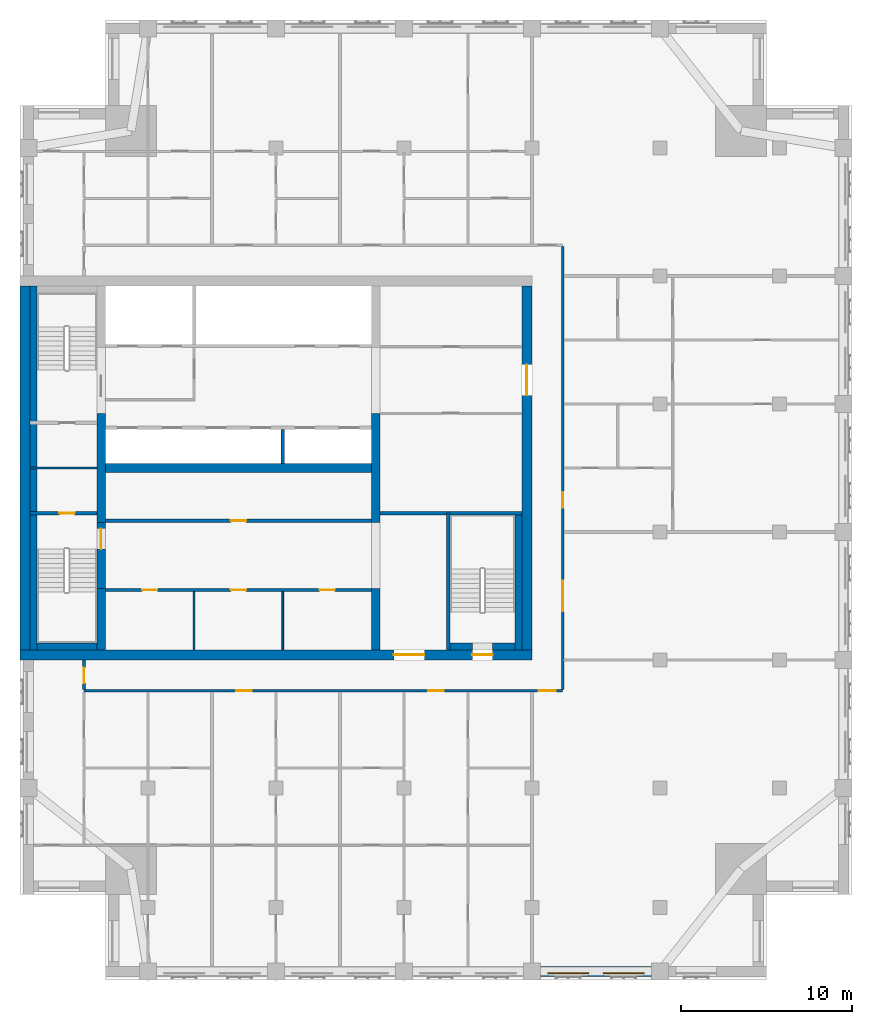
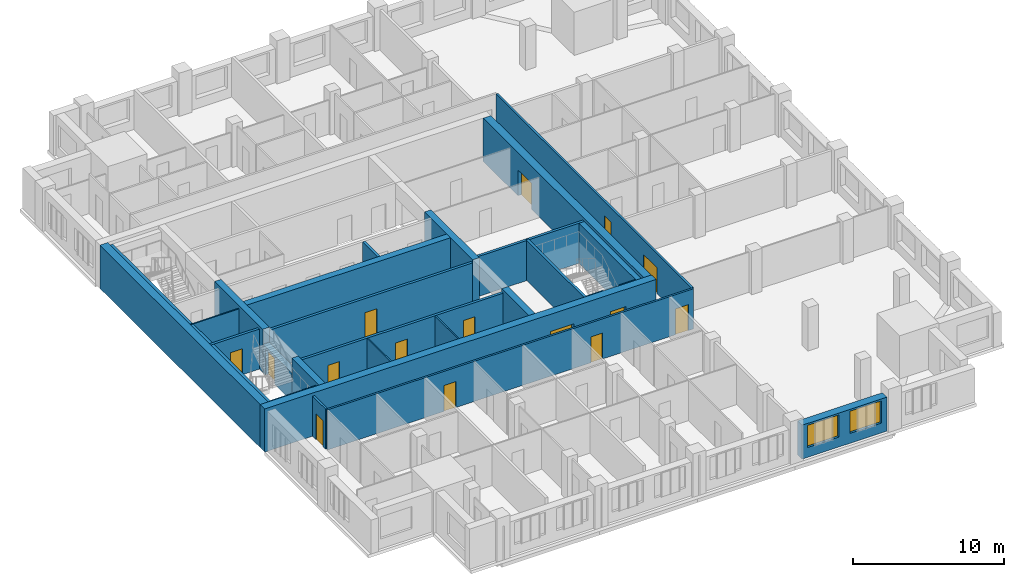
# One storey, part 4 of 10: 27 walls, 15 doors, 2 windows, 17 openings.
"""IFC4 building model written with IfcOpenShell, lengths in metres."""

import ifcopenshell
import ifcopenshell.guid

model = None  # the IFC model being written
_history = None  # IfcOwnerHistory: only IFC2X3 demands one
_inside = {}  # id of a spatial element -> (the spatial element, [elements in it])
_under = {}  # id of a project, library or spatial element -> (it, [spatial elements below it])
_declared = {}  # id of a project -> (the project, [libraries it declares])
_typed = {}  # id of a type object -> (the type object, [elements of that type])
_made_of = {}  # id of a material, layer set ... -> (it, [elements and type objects made of it])


def new_model(schema):
    """Start an empty IFC model of exactly this schema.

    Asked for "IFC4X3", IfcOpenShell would pick the latest addendum, in which some entities
    have other attributes; the version numbers below select the first issue.
    IFC2X3 requires an IfcOwnerHistory on every rooted entity: one is made here for all.
    """
    global model, _history
    if schema == "IFC4X3":
        model = ifcopenshell.file(schema_version=(4, 3, 0, 0))
    else:
        model = ifcopenshell.file(schema=schema)
    _inside.clear()
    _under.clear()
    _declared.clear()
    _typed.clear()
    _made_of.clear()
    _history = None
    if model.schema == "IFC2X3":
        org = make("IfcOrganization", Name="unknown")
        user = make(
            "IfcPersonAndOrganization",
            ThePerson=make("IfcPerson", FamilyName="unknown"),
            TheOrganization=org,
        )
        app = make(
            "IfcApplication",
            ApplicationDeveloper=org,
            Version="unknown",
            ApplicationFullName="unknown",
            ApplicationIdentifier="unknown",
        )
        _history = make(
            "IfcOwnerHistory",
            OwningUser=user,
            OwningApplication=app,
            ChangeAction="ADDED",
            CreationDate=0,
        )
    return model


def make(cls, **values):
    """One entity of the class cls with the attributes given. An attribute that is None is left unset."""
    return model.create_entity(
        cls, **{name: value for name, value in values.items() if value is not None}
    )


def rooted(cls, **values):
    """An entity with a GlobalId (a new one), such as an element, a storey or a relation."""
    return make(cls, GlobalId=ifcopenshell.guid.new(), OwnerHistory=_history, **values)


def si_unit(unit_type, name, prefix=None):
    """IfcSIUnit, for example si_unit("LENGTHUNIT", "METRE", prefix="MILLI")."""
    return make("IfcSIUnit", UnitType=unit_type, Prefix=prefix, Name=name)


def assignment(units):
    """IfcUnitAssignment: the units of a project."""
    return None if units is None else make("IfcUnitAssignment", Units=units)


def point(xyz):
    """IfcCartesianPoint."""
    return None if xyz is None else make("IfcCartesianPoint", Coordinates=xyz)


def direction(xyz):
    """IfcDirection."""
    return None if xyz is None else make("IfcDirection", DirectionRatios=xyz)


def frame(location, z_axis=None, x_axis=None):
    """IfcAxis2Placement3D, a coordinate frame: its origin and axes. An axis left out is left unset."""
    return make(
        "IfcAxis2Placement3D",
        Location=point(location),
        Axis=direction(z_axis),
        RefDirection=direction(x_axis),
    )


def frame_2d(location, x_axis=None):
    """IfcAxis2Placement2D, a coordinate frame in the plane: its origin and x axis."""
    return make(
        "IfcAxis2Placement2D", Location=point(location), RefDirection=direction(x_axis)
    )


def origin():
    """The frame at (0, 0, 0) with its axes left unset."""
    return frame((0.0, 0.0, 0.0))


def place(relative_to, where):
    """IfcLocalPlacement: puts the frame where relative to a parent placement (None: the world)."""
    return make(
        "IfcLocalPlacement", PlacementRelTo=relative_to, RelativePlacement=where
    )


def context(
    kind, dimensions, precision=None, world=None, true_north=None, identifier=None
):
    """IfcGeometricRepresentationContext, for example the 3D "Model" context."""
    return make(
        "IfcGeometricRepresentationContext",
        ContextIdentifier=identifier,
        ContextType=kind,
        CoordinateSpaceDimension=dimensions,
        Precision=precision,
        WorldCoordinateSystem=world,
        TrueNorth=true_north,
    )


def subcontext(parent, identifier, kind, view, scale=None):
    """IfcGeometricRepresentationSubContext, for example "Body" below "Model"."""
    return make(
        "IfcGeometricRepresentationSubContext",
        ContextIdentifier=identifier,
        ContextType=kind,
        ParentContext=parent,
        TargetScale=scale,
        TargetView=view,
    )


def project(units=None, contexts=None):
    """IfcProject with its units and contexts."""
    return rooted(
        "IfcProject",
        Name="project",
        RepresentationContexts=contexts,
        UnitsInContext=assignment(units),
    )


def spatial(cls, under=None, at=None, **own):
    """A site, building, storey or space (cls), placed at a placement, below another one or the project."""
    s = rooted(cls, ObjectPlacement=at, **own)
    if under is not None:
        _under.setdefault(under.id(), (under, []))[1].append(s)
    return s


def profile(cls, at=None, kind="AREA", **sizes):
    """A parametric profile (cls). Its sizes go by their IFC names, for example OverallWidth=200.0."""
    return make(cls, ProfileType=kind, Position=at, **sizes)


def rectangle(**sizes):
    """IfcRectangleProfileDef."""
    return profile("IfcRectangleProfileDef", **sizes)


def extrude(swept, where, along, depth):
    """IfcExtrudedAreaSolid: the profile swept, set in the frame where, extruded along a direction by depth."""
    return make(
        "IfcExtrudedAreaSolid",
        SweptArea=swept,
        Position=where,
        ExtrudedDirection=direction(along),
        Depth=depth,
    )


def shape(context_of_items, identifier, shape_type, items):
    """IfcShapeRepresentation: the items that make up one representation, for example the "Body"."""
    return make(
        "IfcShapeRepresentation",
        ContextOfItems=context_of_items,
        RepresentationIdentifier=identifier,
        RepresentationType=shape_type,
        Items=items,
    )


def material(Name=None, Category=None):
    """IfcMaterial."""
    return make("IfcMaterial", Name=Name, Category=Category)


def layer(
    of_material, thickness, ventilated=None, Name=None, Category=None, Priority=None
):
    """IfcMaterialLayer: one layer of a wall or slab, of a material (None: an air gap)."""
    return make(
        "IfcMaterialLayer",
        Material=of_material,
        LayerThickness=thickness,
        IsVentilated=ventilated,
        Name=Name,
        Category=Category,
        Priority=Priority,
    )


def layer_set(layers, Name=None):
    """IfcMaterialLayerSet."""
    return make("IfcMaterialLayerSet", MaterialLayers=layers, LayerSetName=Name)


def made_of(thing, what):
    """Note that an element or type object is made of a material, layer set ...; save() writes the relation."""
    if what is not None:
        _made_of.setdefault(what.id(), (what, []))[1].append(thing)
    return thing


def type_object(cls, material=None, **own):
    """A type object (cls), such as IfcWallType, which elements share."""
    return made_of(rooted(cls, **own), material)


def element(
    cls,
    number,
    at=None,
    inside=None,
    cuts=None,
    type_object=None,
    material=None,
    context=None,
    identifier="Body",
    shape_type=None,
    held_by="IfcProductDefinitionShape",
    body=None,
    shapes=None,
    **own,
):
    """One element of the class cls, such as IfcWall. Its Tag is "e" and its number.

    at: its placement. inside: the storey or other place that contains it. cuts: it is an
    opening in that element (IfcRelVoidsElement). A single representation is given by context,
    identifier, shape_type and body (its items); several are given by shapes. held_by: the class
    of the entity that holds the representations. save() writes the other relations.
    """
    e = rooted(cls, Tag="e%d" % number, ObjectPlacement=at, **own)
    if body is not None:
        shapes = [shape(context, identifier, shape_type, body)]
    if shapes is not None:
        e.Representation = make(held_by, Representations=shapes)
    if inside is not None:
        _inside.setdefault(inside.id(), (inside, []))[1].append(e)
    if cuts is not None:
        rooted(
            "IfcRelVoidsElement", RelatingBuildingElement=cuts, RelatedOpeningElement=e
        )
    if type_object is not None:
        _typed.setdefault(type_object.id(), (type_object, []))[1].append(e)
    return made_of(e, material)


def fill(opening, filler):
    """IfcRelFillsElement: the door or window that sits in an opening."""
    return rooted(
        "IfcRelFillsElement",
        RelatingOpeningElement=opening,
        RelatedBuildingElement=filler,
    )


def aggregate(whole, parts):
    """IfcRelAggregates: a whole, such as a stair, and the parts it consists of."""
    return rooted("IfcRelAggregates", RelatingObject=whole, RelatedObjects=parts)


def save(model, path):
    """Write the relations noted so far, then the file.

    IfcRelAggregates (storeys below a building ...), IfcRelContainedInSpatialStructure (elements
    in a storey), IfcRelDefinesByType, IfcRelAssociatesMaterial and IfcRelDeclares: one each for
    every whole, place, type object, material and project.
    """
    for whole, parts in _under.values():
        aggregate(whole, parts)
    for where, things in _inside.values():
        rooted(
            "IfcRelContainedInSpatialStructure",
            RelatedElements=things,
            RelatingStructure=where,
        )
    for kind, things in _typed.values():
        rooted("IfcRelDefinesByType", RelatedObjects=things, RelatingType=kind)
    for what, things in _made_of.values():
        rooted("IfcRelAssociatesMaterial", RelatedObjects=things, RelatingMaterial=what)
    for by, libraries in _declared.values():
        rooted("IfcRelDeclares", RelatingContext=by, RelatedDefinitions=libraries)
    model.write(path)


model = new_model("IFC4")

# Units and contexts
model_context = context("Model", 3, precision=1e-05, world=origin(), true_north=direction((0.0, 1.0)))
body_context = subcontext(model_context, "Body", "Model", "MODEL_VIEW")
ifc_project = project(units=[si_unit("LENGTHUNIT", "METRE"), si_unit("AREAUNIT", "SQUARE_METRE"), si_unit("VOLUMEUNIT", "CUBIC_METRE"), si_unit("PLANEANGLEUNIT", "RADIAN"), si_unit("MASSUNIT", "GRAM", prefix="KILO")], contexts=[model_context])

# Site, building, storey
site_placement = place(None, origin())
site = spatial("IfcSite", under=ifc_project, at=site_placement, CompositionType="ELEMENT")
building_placement = place(site_placement, origin())
building = spatial("IfcBuilding", under=site, at=building_placement, Name="Tamorin Gate", CompositionType="ELEMENT")
storey_placement = place(building_placement, frame((0.0, 0.0, 237.199951171875)))
storey = spatial("IfcBuildingStorey", under=building, at=storey_placement, Name="L59", CompositionType="ELEMENT", Elevation=237.199951171875)

# Wall, openings, windows
ifc_material_1 = material(Name="Precast concrete C40/50", Category="concrete")
ifc_layer_1 = layer(ifc_material_1, 0.60009765625)
ifc_layer_set_1 = layer_set([ifc_layer_1], Name="Precast concrete C40/50")
wall_type_1 = type_object("IfcWallType", Name="Board-marked concrete facade panel 600", PredefinedType="SOLIDWALL", material=ifc_layer_set_1)
wall_1_placement = place(storey_placement, frame((60.5, 41.75, 0.0), z_axis=(0.0, 0.0, 1.0), x_axis=(1.0, 0.0, 0.0)))
wall_1 = element("IfcWall", 1, at=wall_1_placement, inside=storey, type_object=wall_type_1, Name="Facade panel", PredefinedType="SOLIDWALL", context=body_context, shape_type="SweptSolid", body=[
    extrude(rectangle(XDim=6.5, YDim=0.60009765625, at=frame_2d((3.25, 0.0))), origin(), (0.0, 0.0, 1.0), 2.75),
])
opening_1_placement = place(wall_1_placement, frame((0.425048828125, 0.0, 0.800048828125)))
opening_1 = element("IfcOpeningElement", 2, at=opening_1_placement, cuts=wall_1, Name="Opening WN1", PredefinedType="OPENING", context=body_context, shape_type="SweptSolid", body=[
    extrude(rectangle(XDim=2.39990234375, YDim=1.800048828125, at=frame_2d((1.199951171875, 0.89990234375))), frame((0.0, 0.31005859375, 0.0), z_axis=(0.0, -1.0, 0.0), x_axis=(1.0, 0.0, 0.0)), (0.0, 0.0, 1.0), 0.6201171875),
])
opening_2_placement = place(wall_1_placement, frame((3.675048828125, 0.0, 0.800048828125)))
opening_2 = element("IfcOpeningElement", 3, at=opening_2_placement, cuts=wall_1, Name="Opening WN1", PredefinedType="OPENING", context=body_context, shape_type="SweptSolid", body=[
    extrude(rectangle(XDim=2.39990234375, YDim=1.800048828125, at=frame_2d((1.199951171875, 0.89990234375))), frame((0.0, 0.31005859375, 0.0), z_axis=(0.0, -1.0, 0.0), x_axis=(1.0, 0.0, 0.0)), (0.0, 0.0, 1.0), 0.6201171875),
])
ifc_material_2 = material(Name="Clear glass in aluminium frame", Category="aluminium")
window_type = type_object("IfcWindowType", Name="Deep-set window 2400x1800", PartitioningType="SINGLE_PANEL", PredefinedType="WINDOW", material=ifc_material_2)
window_1_placement = place(opening_1_placement, origin())
window_1 = element("IfcWindow", 4, at=window_1_placement, inside=storey, type_object=window_type, Name="Deep-set window", OverallHeight=1.800048828125, OverallWidth=2.39990234375, PartitioningType="SINGLE_PANEL", PredefinedType="WINDOW", context=body_context, shape_type="SweptSolid", body=[
    extrude(rectangle(XDim=2.39990234375, YDim=1.800048828125, at=frame_2d((1.199951171875, 0.89990234375))), frame((0.0, -0.070068359375, 0.0), z_axis=(0.0, -1.0, 0.0), x_axis=(1.0, 0.0, 0.0)), (0.0, 0.0, 1.0), 0.06005859375),
])
fill(opening_1, window_1)
window_2_placement = place(opening_2_placement, origin())
window_2 = element("IfcWindow", 5, at=window_2_placement, inside=storey, type_object=window_type, Name="Deep-set window", OverallHeight=1.800048828125, OverallWidth=2.39990234375, PartitioningType="SINGLE_PANEL", PredefinedType="WINDOW", context=body_context, shape_type="SweptSolid", body=[
    extrude(rectangle(XDim=2.39990234375, YDim=1.800048828125, at=frame_2d((1.199951171875, 0.89990234375))), frame((0.0, -0.070068359375, 0.0), z_axis=(0.0, -1.0, 0.0), x_axis=(1.0, 0.0, 0.0)), (0.0, 0.0, 1.0), 0.06005859375),
])
fill(opening_2, window_2)

# Wall, openings, doors
ifc_material_3 = material(Name="Gypsum board partition")
ifc_layer_2 = layer(ifc_material_3, 0.14990234375)
ifc_layer_set_2 = layer_set([ifc_layer_2], Name="Corridor wall 150")
wall_type_2 = type_object("IfcWallType", Name="Corridor wall 150", PredefinedType="PARTITIONING", material=ifc_layer_set_2)
wall_2_placement = place(storey_placement, frame((33.75, 58.199951171875, 0.0), z_axis=(0.0, 0.0, 1.0), x_axis=(1.0, 0.0, 0.0)))
wall_2 = element("IfcWall", 6, at=wall_2_placement, inside=storey, type_object=wall_type_2, Name="Corridor wall 150", PredefinedType="PARTITIONING", context=body_context, shape_type="SweptSolid", body=[
    extrude(rectangle(XDim=28.050048828125, YDim=0.14990234375, at=frame_2d((14.02490234375, 0.0))), origin(), (0.0, 0.0, 1.0), 3.25),
])
opening_3_placement = place(wall_2_placement, frame((8.925048828125, 0.0, 0.0)))
opening_3 = element("IfcOpeningElement", 7, at=opening_3_placement, cuts=wall_2, Name="Opening DR5008", PredefinedType="OPENING", context=body_context, shape_type="SweptSolid", body=[
    extrude(rectangle(XDim=0.89990234375, YDim=2.10009765625, at=frame_2d((0.449951171875, 1.050048828125))), frame((0.0, 0.0849609375, 0.0), z_axis=(0.0, -1.0, 0.0), x_axis=(1.0, 0.0, 0.0)), (0.0, 0.0, 1.0), 0.169921875),
])
opening_4_placement = place(wall_2_placement, frame((20.175048828125, 0.0, 0.0)))
opening_4 = element("IfcOpeningElement", 8, at=opening_4_placement, cuts=wall_2, Name="Opening DR5015", PredefinedType="OPENING", context=body_context, shape_type="SweptSolid", body=[
    extrude(rectangle(XDim=0.89990234375, YDim=2.10009765625, at=frame_2d((0.449951171875, 1.050048828125))), frame((0.0, 0.0849609375, 0.0), z_axis=(0.0, -1.0, 0.0), x_axis=(1.0, 0.0, 0.0)), (0.0, 0.0, 1.0), 0.169921875),
])
opening_5_placement = place(wall_2_placement, frame((26.64990234375, 0.0, 0.0)))
opening_5 = element("IfcOpeningElement", 9, at=opening_5_placement, cuts=wall_2, Name="Opening DR5021", PredefinedType="OPENING", context=body_context, shape_type="SweptSolid", body=[
    extrude(rectangle(XDim=1.0, YDim=2.10009765625, at=frame_2d((0.5, 1.050048828125))), frame((0.0, 0.0849609375, 0.0), z_axis=(0.0, -1.0, 0.0), x_axis=(1.0, 0.0, 0.0)), (0.0, 0.0, 1.0), 0.169921875),
])
ifc_material_4 = material(Name="Timber door leaf", Category="wood")
door_type_1 = type_object("IfcDoorType", Name="Door 1000 x 2100 FD30S", OperationType="NOTDEFINED", PredefinedType="DOOR", material=ifc_material_4)
door_1_placement = place(opening_5_placement, origin())
door_1 = element("IfcDoor", 10, at=door_1_placement, inside=storey, type_object=door_type_1, Name="Door DR5021", OperationType="SINGLE_SWING_RIGHT", OverallHeight=2.10009765625, OverallWidth=1.0, PredefinedType="DOOR", context=body_context, shape_type="SweptSolid", body=[
    extrude(rectangle(XDim=1.0, YDim=2.10009765625, at=frame_2d((0.5, 1.050048828125))), frame((0.0, 0.02490234375, 0.0), z_axis=(0.0, -1.0, 0.0), x_axis=(1.0, 0.0, 0.0)), (0.0, 0.0, 1.0), 0.050048828125),
])
fill(opening_5, door_1)
door_type_2 = type_object("IfcDoorType", Name="Door 900 x 2100 FD30S", OperationType="NOTDEFINED", PredefinedType="DOOR", material=ifc_material_4)
door_2_placement = place(opening_3_placement, origin())
door_2 = element("IfcDoor", 11, at=door_2_placement, inside=storey, type_object=door_type_2, Name="Door DR5008", OperationType="SINGLE_SWING_RIGHT", OverallHeight=2.10009765625, OverallWidth=0.89990234375, PredefinedType="DOOR", context=body_context, shape_type="SweptSolid", body=[
    extrude(rectangle(XDim=0.89990234375, YDim=2.10009765625, at=frame_2d((0.449951171875, 1.050048828125))), frame((0.0, 0.02490234375, 0.0), z_axis=(0.0, -1.0, 0.0), x_axis=(1.0, 0.0, 0.0)), (0.0, 0.0, 1.0), 0.050048828125),
])
fill(opening_3, door_2)
door_3_placement = place(opening_4_placement, origin())
door_3 = element("IfcDoor", 12, at=door_3_placement, inside=storey, type_object=door_type_2, Name="Door DR5015", OperationType="SINGLE_SWING_RIGHT", OverallHeight=2.10009765625, OverallWidth=0.89990234375, PredefinedType="DOOR", context=body_context, shape_type="SweptSolid", body=[
    extrude(rectangle(XDim=0.89990234375, YDim=2.10009765625, at=frame_2d((0.449951171875, 1.050048828125))), frame((0.0, 0.02490234375, 0.0), z_axis=(0.0, -1.0, 0.0), x_axis=(1.0, 0.0, 0.0)), (0.0, 0.0, 1.0), 0.050048828125),
])
fill(opening_4, door_3)

# Wall, opening, door
wall_3_placement = place(storey_placement, frame((33.75, 58.27490234375, 0.0), z_axis=(0.0, 0.0, 1.0), x_axis=(0.0, 1.0, 0.0)))
wall_3 = element("IfcWall", 13, at=wall_3_placement, inside=storey, type_object=wall_type_2, Name="Corridor wall 150", PredefinedType="PARTITIONING", context=body_context, shape_type="SweptSolid", body=[
    extrude(rectangle(XDim=1.72509765625, YDim=0.14990234375, at=frame_2d((0.862548828125, 0.0))), origin(), (0.0, 0.0, 1.0), 3.25),
])
opening_6_placement = place(wall_3_placement, frame((0.375, 0.0, 0.0)))
opening_6 = element("IfcOpeningElement", 14, at=opening_6_placement, cuts=wall_3, Name="Opening DR5001", PredefinedType="OPENING", context=body_context, shape_type="SweptSolid", body=[
    extrude(rectangle(XDim=0.89990234375, YDim=2.10009765625, at=frame_2d((0.449951171875, 1.050048828125))), frame((0.0, 0.0849609375, 0.0), z_axis=(0.0, -1.0, 0.0), x_axis=(1.0, 0.0, 0.0)), (0.0, 0.0, 1.0), 0.169921875),
])
door_4_placement = place(opening_6_placement, origin())
door_4 = element("IfcDoor", 15, at=door_4_placement, inside=storey, type_object=door_type_2, Name="Door DR5001", OperationType="SINGLE_SWING_RIGHT", OverallHeight=2.10009765625, OverallWidth=0.89990234375, PredefinedType="DOOR", context=body_context, shape_type="SweptSolid", body=[
    extrude(rectangle(XDim=0.89990234375, YDim=2.10009765625, at=frame_2d((0.449951171875, 1.050048828125))), frame((0.0, 0.02490234375, 0.0), z_axis=(0.0, -1.0, 0.0), x_axis=(1.0, 0.0, 0.0)), (0.0, 0.0, 1.0), 0.050048828125),
])
fill(opening_6, door_4)

# Wall, openings, doors
wall_4_placement = place(storey_placement, frame((61.800048828125, 58.27490234375, 0.0), z_axis=(0.0, 0.0, 1.0), x_axis=(0.0, 1.0, 0.0)))
wall_4 = element("IfcWall", 16, at=wall_4_placement, inside=storey, type_object=wall_type_2, Name="Corridor wall 150", PredefinedType="PARTITIONING", context=body_context, shape_type="SweptSolid", body=[
    extrude(rectangle(XDim=25.9501953125, YDim=0.14990234375, at=frame_2d((12.97509765625, 0.0))), origin(), (0.0, 0.0, 1.0), 3.25),
])
opening_7_placement = place(wall_4_placement, frame((4.574951171875, 0.0, 0.0)))
opening_7 = element("IfcOpeningElement", 17, at=opening_7_placement, cuts=wall_4, Name="Opening DR5041", PredefinedType="OPENING", context=body_context, shape_type="SweptSolid", body=[
    extrude(rectangle(XDim=1.800048828125, YDim=2.10009765625, at=frame_2d((0.89990234375, 1.050048828125))), frame((0.0, 0.0849609375, 0.0), z_axis=(0.0, -1.0, 0.0), x_axis=(1.0, 0.0, 0.0)), (0.0, 0.0, 1.0), 0.169921875),
])
opening_8_placement = place(wall_4_placement, frame((10.64990234375, 0.0, 0.0)))
opening_8 = element("IfcOpeningElement", 18, at=opening_8_placement, cuts=wall_4, Name="Opening DR5042", PredefinedType="OPENING", context=body_context, shape_type="SweptSolid", body=[
    extrude(rectangle(XDim=0.89990234375, YDim=2.10009765625, at=frame_2d((0.449951171875, 1.050048828125))), frame((0.0, 0.0849609375, 0.0), z_axis=(0.0, -1.0, 0.0), x_axis=(1.0, 0.0, 0.0)), (0.0, 0.0, 1.0), 0.169921875),
])
door_type_3 = type_object("IfcDoorType", Name="Door 1800 x 2100 FD30S", OperationType="DOUBLE_DOOR_SINGLE_SWING", PredefinedType="DOOR", material=ifc_material_4)
door_5_placement = place(opening_7_placement, origin())
door_5 = element("IfcDoor", 19, at=door_5_placement, inside=storey, type_object=door_type_3, Name="Door DR5041", OperationType="DOUBLE_DOOR_SINGLE_SWING", OverallHeight=2.10009765625, OverallWidth=1.800048828125, PredefinedType="DOOR", context=body_context, shape_type="SweptSolid", body=[
    extrude(rectangle(XDim=1.800048828125, YDim=2.10009765625, at=frame_2d((0.89990234375, 1.050048828125))), frame((0.0, 0.02490234375, 0.0), z_axis=(0.0, -1.0, 0.0), x_axis=(1.0, 0.0, 0.0)), (0.0, 0.0, 1.0), 0.050048828125),
])
fill(opening_7, door_5)
door_6_placement = place(opening_8_placement, origin())
door_6 = element("IfcDoor", 20, at=door_6_placement, inside=storey, type_object=door_type_2, Name="Door DR5042", OperationType="SINGLE_SWING_RIGHT", OverallHeight=2.10009765625, OverallWidth=0.89990234375, PredefinedType="DOOR", context=body_context, shape_type="SweptSolid", body=[
    extrude(rectangle(XDim=0.89990234375, YDim=2.10009765625, at=frame_2d((0.449951171875, 1.050048828125))), frame((0.0, 0.02490234375, 0.0), z_axis=(0.0, -1.0, 0.0), x_axis=(1.0, 0.0, 0.0)), (0.0, 0.0, 1.0), 0.050048828125),
])
fill(opening_8, door_6)

# Walls
ifc_material_5 = material(Name="Concrete C32/40", Category="concrete")
ifc_layer_3 = layer(ifc_material_5, 0.199951171875)
ifc_layer_set_3 = layer_set([ifc_layer_3], Name="Lift shaft wall 200 EI 120")
wall_type_3 = type_object("IfcWallType", Name="Lift shaft wall 200 EI 120", PredefinedType="SOLIDWALL", material=ifc_layer_set_3)
wall_5_placement = place(storey_placement, frame((45.39990234375, 71.5, 0.0), z_axis=(0.0, 0.0, 1.0), x_axis=(0.0, 1.0, 0.0)))
element("IfcWall", 21, at=wall_5_placement, inside=storey, type_object=wall_type_3, Name="Lift shaft wall", PredefinedType="SOLIDWALL", context=body_context, shape_type="SweptSolid", body=[
    extrude(rectangle(XDim=2.0, YDim=0.199951171875, at=frame_2d((1.0, 0.0))), origin(), (0.0, 0.0, 1.0), 3.5),
])
ifc_material_6 = material(Name="Concrete C50/60", Category="concrete")
ifc_layer_4 = layer(ifc_material_6, 0.5)
ifc_layer_set_4 = layer_set([ifc_layer_4], Name="RC core internal wall 500 C50/60")
wall_type_4 = type_object("IfcWallType", Name="RC core internal wall 500 C50/60", PredefinedType="SHEAR", material=ifc_layer_set_4)
wall_6_placement = place(storey_placement, frame((35.0, 71.25, 0.0), z_axis=(0.0, 0.0, 1.0), x_axis=(1.0, 0.0, 0.0)))
element("IfcWall", 22, at=wall_6_placement, inside=storey, type_object=wall_type_4, Name="Core spine wall L59", PredefinedType="SHEAR", context=body_context, shape_type="SweptSolid", body=[
    extrude(rectangle(XDim=15.60009765625, YDim=0.5, at=frame_2d((7.800048828125, 0.0))), origin(), (0.0, 0.0, 1.0), 3.5),
])
wall_7_placement = place(storey_placement, frame((34.75, 60.60009765625, 0.0), z_axis=(0.0, 0.0, 1.0), x_axis=(0.0, 1.0, 0.0)))
element("IfcWall", 23, at=wall_7_placement, inside=storey, type_object=wall_type_4, Name="Core cross wall L59", PredefinedType="SHEAR", context=body_context, shape_type="SweptSolid", body=[
    extrude(rectangle(XDim=3.599853515625, YDim=0.5, at=frame_2d((1.7998046875, 0.0))), origin(), (0.0, 0.0, 1.0), 3.5),
])
wall_8_placement = place(storey_placement, frame((34.75, 68.050048828125, 0.0), z_axis=(0.0, 0.0, 1.0), x_axis=(0.0, 1.0, 0.0)))
element("IfcWall", 24, at=wall_8_placement, inside=storey, type_object=wall_type_4, Name="Core cross wall L59", PredefinedType="SHEAR", context=body_context, shape_type="SweptSolid", body=[
    extrude(rectangle(XDim=6.39990234375, YDim=0.5, at=frame_2d((3.199951171875, 0.0))), origin(), (0.0, 0.0, 1.0), 3.5),
])
wall_9_placement = place(storey_placement, frame((50.85009765625, 60.60009765625, 0.0), z_axis=(0.0, 0.0, 1.0), x_axis=(0.0, 1.0, 0.0)))
element("IfcWall", 25, at=wall_9_placement, inside=storey, type_object=wall_type_4, Name="Core cross wall L59", PredefinedType="SHEAR", context=body_context, shape_type="SweptSolid", body=[
    extrude(rectangle(XDim=3.599853515625, YDim=0.5, at=frame_2d((1.7998046875, 0.0))), origin(), (0.0, 0.0, 1.0), 3.5),
])
wall_10_placement = place(storey_placement, frame((50.85009765625, 68.050048828125, 0.0), z_axis=(0.0, 0.0, 1.0), x_axis=(0.0, 1.0, 0.0)))
element("IfcWall", 26, at=wall_10_placement, inside=storey, type_object=wall_type_4, Name="Core cross wall L59", PredefinedType="SHEAR", context=body_context, shape_type="SweptSolid", body=[
    extrude(rectangle(XDim=6.39990234375, YDim=0.5, at=frame_2d((3.199951171875, 0.0))), origin(), (0.0, 0.0, 1.0), 3.5),
])

# Wall, openings, doors
ifc_layer_5 = layer(ifc_material_6, 0.60009765625)
ifc_layer_set_5 = layer_set([ifc_layer_5], Name="RC core wall 600 C50/60")
wall_type_5 = type_object("IfcWallType", Name="RC core wall 600 C50/60", PredefinedType="SHEAR", material=ifc_layer_set_5)
wall_11_placement = place(storey_placement, frame((30.0, 60.300048828125, 0.0), z_axis=(0.0, 0.0, 1.0), x_axis=(1.0, 0.0, 0.0)))
wall_11 = element("IfcWall", 27, at=wall_11_placement, inside=storey, type_object=wall_type_5, Name="Core wall L59", PredefinedType="SHEAR", context=body_context, shape_type="SweptSolid", body=[
    extrude(rectangle(XDim=30.0, YDim=0.60009765625, at=frame_2d((15.0, 0.0))), origin(), (0.0, 0.0, 1.0), 3.5),
])
opening_9_placement = place(wall_11_placement, frame((21.89990234375, 0.0, 0.0)))
opening_9 = element("IfcOpeningElement", 28, at=opening_9_placement, cuts=wall_11, Name="Opening DE1", PredefinedType="OPENING", context=body_context, shape_type="SweptSolid", body=[
    extrude(rectangle(XDim=1.800048828125, YDim=2.10009765625, at=frame_2d((0.89990234375, 1.050048828125))), frame((0.0, 0.31005859375, 0.0), z_axis=(0.0, -1.0, 0.0), x_axis=(1.0, 0.0, 0.0)), (0.0, 0.0, 1.0), 0.6201171875),
])
opening_10_placement = place(wall_11_placement, frame((26.5, 0.0, 0.0)))
opening_10 = element("IfcOpeningElement", 29, at=opening_10_placement, cuts=wall_11, Name="Opening DS1", PredefinedType="OPENING", context=body_context, shape_type="SweptSolid", body=[
    extrude(rectangle(XDim=1.199951171875, YDim=2.10009765625, at=frame_2d((0.60009765625, 1.050048828125))), frame((0.0, 0.31005859375, 0.0), z_axis=(0.0, -1.0, 0.0), x_axis=(1.0, 0.0, 0.0)), (0.0, 0.0, 1.0), 0.6201171875),
])
ifc_material_7 = material(Name="Steel fire door", Category="steel")
door_type_4 = type_object("IfcDoorType", Name="Lobby exit double door 1800 x 2100 EI 60", OperationType="DOUBLE_DOOR_SINGLE_SWING", PredefinedType="DOOR", material=ifc_material_7)
door_7_placement = place(opening_9_placement, origin())
door_7 = element("IfcDoor", 30, at=door_7_placement, inside=storey, type_object=door_type_4, Name="Lift lobby A exit door", OperationType="DOUBLE_DOOR_SINGLE_SWING", OverallHeight=2.10009765625, OverallWidth=1.800048828125, PredefinedType="DOOR", context=body_context, shape_type="SweptSolid", body=[
    extrude(rectangle(XDim=1.800048828125, YDim=2.10009765625, at=frame_2d((0.89990234375, 1.050048828125))), frame((0.0, 0.02490234375, 0.0), z_axis=(0.0, -1.0, 0.0), x_axis=(1.0, 0.0, 0.0)), (0.0, 0.0, 1.0), 0.050048828125),
])
fill(opening_9, door_7)
door_type_5 = type_object("IfcDoorType", Name="Stair door 1200 x 2100 EI 90", OperationType="SINGLE_SWING_LEFT", PredefinedType="DOOR", material=ifc_material_7)
door_8_placement = place(opening_10_placement, origin())
door_8 = element("IfcDoor", 31, at=door_8_placement, inside=storey, type_object=door_type_5, Name="ST3 door", OperationType="SINGLE_SWING_LEFT", OverallHeight=2.10009765625, OverallWidth=1.199951171875, PredefinedType="DOOR", context=body_context, shape_type="SweptSolid", body=[
    extrude(rectangle(XDim=1.199951171875, YDim=2.10009765625, at=frame_2d((0.60009765625, 1.050048828125))), frame((0.0, 0.02490234375, 0.0), z_axis=(0.0, -1.0, 0.0), x_axis=(1.0, 0.0, 0.0)), (0.0, 0.0, 1.0), 0.050048828125),
])
fill(opening_10, door_8)

# Wall
wall_12_placement = place(storey_placement, frame((30.300048828125, 60.60009765625, 0.0), z_axis=(0.0, 0.0, 1.0), x_axis=(0.0, 1.0, 0.0)))
element("IfcWall", 32, at=wall_12_placement, inside=storey, type_object=wall_type_5, Name="Core wall L59", PredefinedType="SHEAR", context=body_context, shape_type="SweptSolid", body=[
    extrude(rectangle(XDim=21.2998046875, YDim=0.60009765625, at=frame_2d((10.64990234375, 0.0))), origin(), (0.0, 0.0, 1.0), 3.5),
])

# Wall, opening, door
wall_13_placement = place(storey_placement, frame((59.699951171875, 60.60009765625, 0.0), z_axis=(0.0, 0.0, 1.0), x_axis=(0.0, 1.0, 0.0)))
wall_13 = element("IfcWall", 33, at=wall_13_placement, inside=storey, type_object=wall_type_5, Name="Core wall L59", PredefinedType="SHEAR", context=body_context, shape_type="SweptSolid", body=[
    extrude(rectangle(XDim=21.2998046875, YDim=0.60009765625, at=frame_2d((10.64990234375, 0.0))), origin(), (0.0, 0.0, 1.0), 3.5),
])
opening_11_placement = place(wall_13_placement, frame((14.89990234375, 0.0, 0.0)))
opening_11 = element("IfcOpeningElement", 34, at=opening_11_placement, cuts=wall_13, Name="Opening DE1", PredefinedType="OPENING", context=body_context, shape_type="SweptSolid", body=[
    extrude(rectangle(XDim=1.800048828125, YDim=2.10009765625, at=frame_2d((0.89990234375, 1.050048828125))), frame((0.0, 0.31005859375, 0.0), z_axis=(0.0, -1.0, 0.0), x_axis=(1.0, 0.0, 0.0)), (0.0, 0.0, 1.0), 0.6201171875),
])
door_9_placement = place(opening_11_placement, origin())
door_9 = element("IfcDoor", 35, at=door_9_placement, inside=storey, type_object=door_type_4, Name="Lift lobby B exit door", OperationType="DOUBLE_DOOR_SINGLE_SWING", OverallHeight=2.10009765625, OverallWidth=1.800048828125, PredefinedType="DOOR", context=body_context, shape_type="SweptSolid", body=[
    extrude(rectangle(XDim=1.800048828125, YDim=2.10009765625, at=frame_2d((0.89990234375, 1.050048828125))), frame((0.0, 0.02490234375, 0.0), z_axis=(0.0, -1.0, 0.0), x_axis=(1.0, 0.0, 0.0)), (0.0, 0.0, 1.0), 0.050048828125),
])
fill(opening_11, door_9)

# Wall
ifc_material_8 = material(Name="Fire-rated gypsum board partition")
ifc_layer_6 = layer(ifc_material_8, 0.10009765625)
ifc_layer_set_6 = layer_set([ifc_layer_6], Name="Riser partition 100 EI 120")
wall_type_6 = type_object("IfcWallType", Name="Riser partition 100 EI 120", PredefinedType="PARTITIONING", material=ifc_layer_set_6)
wall_14_placement = place(storey_placement, frame((30.60009765625, 71.25, 0.0), z_axis=(0.0, 0.0, 1.0), x_axis=(1.0, 0.0, 0.0)))
element("IfcWall", 36, at=wall_14_placement, inside=storey, type_object=wall_type_6, Name="Riser partition", PredefinedType="PARTITIONING", context=body_context, shape_type="SweptSolid", body=[
    extrude(rectangle(XDim=3.89990234375, YDim=0.10009765625, at=frame_2d((1.949951171875, 0.0))), origin(), (0.0, 0.0, 1.0), 3.25),
])

# Wall, openings, doors
ifc_layer_7 = layer(ifc_material_3, 0.199951171875)
ifc_layer_set_7 = layer_set([ifc_layer_7], Name="Service room face wall 200 EI 60")
wall_type_7 = type_object("IfcWallType", Name="Service room face wall 200 EI 60", PredefinedType="PARTITIONING", material=ifc_layer_set_7)
wall_15_placement = place(storey_placement, frame((35.0, 64.10009765625, 0.0), z_axis=(0.0, 0.0, 1.0), x_axis=(1.0, 0.0, 0.0)))
wall_15 = element("IfcWall", 37, at=wall_15_placement, inside=storey, type_object=wall_type_7, Name="Service room face wall", PredefinedType="PARTITIONING", context=body_context, shape_type="SweptSolid", body=[
    extrude(rectangle(XDim=15.60009765625, YDim=0.199951171875, at=frame_2d((7.800048828125, 0.0))), origin(), (0.0, 0.0, 1.0), 3.25),
])
opening_12_placement = place(wall_15_placement, frame((2.14990234375, 0.0, 0.0)))
opening_12 = element("IfcOpeningElement", 38, at=opening_12_placement, cuts=wall_15, Name="Opening DK1", PredefinedType="OPENING", context=body_context, shape_type="SweptSolid", body=[
    extrude(rectangle(XDim=0.89990234375, YDim=2.10009765625, at=frame_2d((0.449951171875, 1.050048828125))), frame((0.0, 0.10986328125, 0.0), z_axis=(0.0, -1.0, 0.0), x_axis=(1.0, 0.0, 0.0)), (0.0, 0.0, 1.0), 0.219970703125),
])
opening_13_placement = place(wall_15_placement, frame((7.35009765625, 0.0, 0.0)))
opening_13 = element("IfcOpeningElement", 39, at=opening_13_placement, cuts=wall_15, Name="Opening DK1", PredefinedType="OPENING", context=body_context, shape_type="SweptSolid", body=[
    extrude(rectangle(XDim=0.89990234375, YDim=2.10009765625, at=frame_2d((0.449951171875, 1.050048828125))), frame((0.0, 0.10986328125, 0.0), z_axis=(0.0, -1.0, 0.0), x_axis=(1.0, 0.0, 0.0)), (0.0, 0.0, 1.0), 0.219970703125),
])
opening_14_placement = place(wall_15_placement, frame((12.550048828125, 0.0, 0.0)))
opening_14 = element("IfcOpeningElement", 40, at=opening_14_placement, cuts=wall_15, Name="Opening DK1", PredefinedType="OPENING", context=body_context, shape_type="SweptSolid", body=[
    extrude(rectangle(XDim=0.89990234375, YDim=2.10009765625, at=frame_2d((0.449951171875, 1.050048828125))), frame((0.0, 0.10986328125, 0.0), z_axis=(0.0, -1.0, 0.0), x_axis=(1.0, 0.0, 0.0)), (0.0, 0.0, 1.0), 0.219970703125),
])
ifc_material_9 = material(Name="Timber fire door", Category="wood")
door_type_6 = type_object("IfcDoorType", Name="Service room door 900 x 2100 EI 60", OperationType="SINGLE_SWING_LEFT", PredefinedType="DOOR", material=ifc_material_9)
door_10_placement = place(opening_12_placement, origin())
door_10 = element("IfcDoor", 41, at=door_10_placement, inside=storey, type_object=door_type_6, Name="Door Valet room", OperationType="SINGLE_SWING_LEFT", OverallHeight=2.10009765625, OverallWidth=0.89990234375, PredefinedType="DOOR", context=body_context, shape_type="SweptSolid", body=[
    extrude(rectangle(XDim=0.89990234375, YDim=2.10009765625, at=frame_2d((0.449951171875, 1.050048828125))), frame((0.0, 0.02490234375, 0.0), z_axis=(0.0, -1.0, 0.0), x_axis=(1.0, 0.0, 0.0)), (0.0, 0.0, 1.0), 0.050048828125),
])
fill(opening_12, door_10)
door_11_placement = place(opening_13_placement, origin())
door_11 = element("IfcDoor", 42, at=door_11_placement, inside=storey, type_object=door_type_6, Name="Door Luggage store", OperationType="SINGLE_SWING_RIGHT", OverallHeight=2.10009765625, OverallWidth=0.89990234375, PredefinedType="DOOR", context=body_context, shape_type="SweptSolid", body=[
    extrude(rectangle(XDim=0.89990234375, YDim=2.10009765625, at=frame_2d((0.449951171875, 1.050048828125))), frame((0.0, 0.02490234375, 0.0), z_axis=(0.0, -1.0, 0.0), x_axis=(1.0, 0.0, 0.0)), (0.0, 0.0, 1.0), 0.050048828125),
])
fill(opening_13, door_11)
door_12_placement = place(opening_14_placement, origin())
door_12 = element("IfcDoor", 43, at=door_12_placement, inside=storey, type_object=door_type_6, Name="Door Cleaner's store", OperationType="SINGLE_SWING_LEFT", OverallHeight=2.10009765625, OverallWidth=0.89990234375, PredefinedType="DOOR", context=body_context, shape_type="SweptSolid", body=[
    extrude(rectangle(XDim=0.89990234375, YDim=2.10009765625, at=frame_2d((0.449951171875, 1.050048828125))), frame((0.0, 0.02490234375, 0.0), z_axis=(0.0, -1.0, 0.0), x_axis=(1.0, 0.0, 0.0)), (0.0, 0.0, 1.0), 0.050048828125),
])
fill(opening_14, door_12)

# Wall, opening, door
wall_16_placement = place(storey_placement, frame((35.0, 68.14990234375, 0.0), z_axis=(0.0, 0.0, 1.0), x_axis=(1.0, 0.0, 0.0)))
wall_16 = element("IfcWall", 44, at=wall_16_placement, inside=storey, type_object=wall_type_7, Name="Service room face wall", PredefinedType="PARTITIONING", context=body_context, shape_type="SweptSolid", body=[
    extrude(rectangle(XDim=15.60009765625, YDim=0.199951171875, at=frame_2d((7.800048828125, 0.0))), origin(), (0.0, 0.0, 1.0), 3.25),
])
opening_15_placement = place(wall_16_placement, frame((7.35009765625, 0.0, 0.0)))
opening_15 = element("IfcOpeningElement", 45, at=opening_15_placement, cuts=wall_16, Name="Opening DK1", PredefinedType="OPENING", context=body_context, shape_type="SweptSolid", body=[
    extrude(rectangle(XDim=0.89990234375, YDim=2.10009765625, at=frame_2d((0.449951171875, 1.050048828125))), frame((0.0, 0.10986328125, 0.0), z_axis=(0.0, -1.0, 0.0), x_axis=(1.0, 0.0, 0.0)), (0.0, 0.0, 1.0), 0.219970703125),
])
door_13_placement = place(opening_15_placement, origin())
door_13 = element("IfcDoor", 46, at=door_13_placement, inside=storey, type_object=door_type_6, Name="Door Housekeeping and maintenance store", OperationType="SINGLE_SWING_LEFT", OverallHeight=2.10009765625, OverallWidth=0.89990234375, PredefinedType="DOOR", context=body_context, shape_type="SweptSolid", body=[
    extrude(rectangle(XDim=0.89990234375, YDim=2.10009765625, at=frame_2d((0.449951171875, 1.050048828125))), frame((0.0, 0.02490234375, 0.0), z_axis=(0.0, -1.0, 0.0), x_axis=(1.0, 0.0, 0.0)), (0.0, 0.0, 1.0), 0.050048828125),
])
fill(opening_15, door_13)

# Walls
ifc_layer_8 = layer(ifc_material_3, 0.10009765625)
ifc_layer_set_8 = layer_set([ifc_layer_8], Name="Service room partition 100 EI 60")
wall_type_8 = type_object("IfcWallType", Name="Service room partition 100 EI 60", PredefinedType="PARTITIONING", material=ifc_layer_set_8)
for number, where, z_axis, x_axis, name in (
    (47, (40.199951171875, 60.60009765625, 0.0), (0.0, 0.0, 1.0), (0.0, 1.0, 0.0), "Service room partition"),
    (48, (45.39990234375, 60.60009765625, 0.0), (0.0, 0.0, 1.0), (0.0, 1.0, 0.0), "Service room partition"),
):
    element("IfcWall", number, at=place(storey_placement, frame(where, z_axis=z_axis, x_axis=x_axis)), inside=storey, type_object=wall_type_8, Name=name, PredefinedType="PARTITIONING", context=body_context, shape_type="SweptSolid", body=[
        extrude(rectangle(XDim=3.39990234375, YDim=0.10009765625, at=frame_2d((1.699951171875, 0.0))), origin(), (0.0, 0.0, 1.0), 3.25),
    ])

# Wall, opening, door
ifc_material_10 = material(Name="Concrete C40/50", Category="concrete")
ifc_layer_9 = layer(ifc_material_10, 0.199951171875)
ifc_layer_set_9 = layer_set([ifc_layer_9], Name="Stair enclosure wall 200 EI 120 C40/50")
wall_type_9 = type_object("IfcWallType", Name="Stair enclosure wall 200 EI 120 C40/50", PredefinedType="SOLIDWALL", material=ifc_layer_set_9)
wall_17_placement = place(storey_placement, frame((30.60009765625, 68.60009765625, 0.0), z_axis=(0.0, 0.0, 1.0), x_axis=(1.0, 0.0, 0.0)))
wall_17 = element("IfcWall", 49, at=wall_17_placement, inside=storey, type_object=wall_type_9, Name="Stair enclosure wall", PredefinedType="SOLIDWALL", context=body_context, shape_type="SweptSolid", body=[
    extrude(rectangle(XDim=3.89990234375, YDim=0.199951171875, at=frame_2d((1.949951171875, 0.0))), origin(), (0.0, 0.0, 1.0), 3.25),
])
opening_16_placement = place(wall_17_placement, frame((1.699951171875, 0.0, 0.0)))
opening_16 = element("IfcOpeningElement", 50, at=opening_16_placement, cuts=wall_17, Name="Opening DR1", PredefinedType="OPENING", context=body_context, shape_type="SweptSolid", body=[
    extrude(rectangle(XDim=0.89990234375, YDim=2.10009765625, at=frame_2d((0.449951171875, 1.050048828125))), frame((0.0, 0.10986328125, 0.0), z_axis=(0.0, -1.0, 0.0), x_axis=(1.0, 0.0, 0.0)), (0.0, 0.0, 1.0), 0.219970703125),
])
door_type_7 = type_object("IfcDoorType", Name="Riser access door 900 x 2100 EI 120", OperationType="SINGLE_SWING_LEFT", PredefinedType="DOOR", material=ifc_material_7)
door_14_placement = place(opening_16_placement, origin())
door_14 = element("IfcDoor", 51, at=door_14_placement, inside=storey, type_object=door_type_7, Name="Electrical riser door", OperationType="SINGLE_SWING_LEFT", OverallHeight=2.10009765625, OverallWidth=0.89990234375, PredefinedType="DOOR", context=body_context, shape_type="SweptSolid", body=[
    extrude(rectangle(XDim=0.89990234375, YDim=2.10009765625, at=frame_2d((0.449951171875, 1.050048828125))), frame((0.0, 0.02490234375, 0.0), z_axis=(0.0, -1.0, 0.0), x_axis=(1.0, 0.0, 0.0)), (0.0, 0.0, 1.0), 0.050048828125),
])
fill(opening_16, door_14)

# Walls
wall_18_placement = place(storey_placement, frame((55.10009765625, 60.60009765625, 0.0), z_axis=(0.0, 0.0, 1.0), x_axis=(0.0, 1.0, 0.0)))
element("IfcWall", 52, at=wall_18_placement, inside=storey, type_object=wall_type_9, Name="Stair enclosure wall", PredefinedType="SOLIDWALL", context=body_context, shape_type="SweptSolid", body=[
    extrude(rectangle(XDim=8.0, YDim=0.199951171875, at=frame_2d((4.0, 0.0))), origin(), (0.0, 0.0, 1.0), 3.25),
])
wall_19_placement = place(storey_placement, frame((51.10009765625, 68.60009765625, 0.0), z_axis=(0.0, 0.0, 1.0), x_axis=(1.0, 0.0, 0.0)))
element("IfcWall", 53, at=wall_19_placement, inside=storey, type_object=wall_type_9, Name="Stair enclosure wall", PredefinedType="SOLIDWALL", context=body_context, shape_type="SweptSolid", body=[
    extrude(rectangle(XDim=8.2998046875, YDim=0.199951171875, at=frame_2d((4.14990234375, 0.0))), origin(), (0.0, 0.0, 1.0), 3.25),
])
ifc_layer_10 = layer(ifc_material_6, 0.39990234375)
ifc_layer_set_10 = layer_set([ifc_layer_10], Name="Stair lining wall 400 EI 120 C50/60")
wall_type_10 = type_object("IfcWallType", Name="Stair lining wall 400 EI 120 C50/60", PredefinedType="SOLIDWALL", material=ifc_layer_set_10)
wall_20_placement = place(storey_placement, frame((30.800048828125, 60.60009765625, 0.0), z_axis=(0.0, 0.0, 1.0), x_axis=(0.0, 1.0, 0.0)))
element("IfcWall", 54, at=wall_20_placement, inside=storey, type_object=wall_type_10, Name="Stair lining wall", PredefinedType="SOLIDWALL", context=body_context, shape_type="SweptSolid", body=[
    extrude(rectangle(XDim=21.2998046875, YDim=0.39990234375, at=frame_2d((10.64990234375, 0.0))), origin(), (0.0, 0.0, 1.0), 3.25),
])
wall_21_placement = place(storey_placement, frame((31.0, 60.800048828125, 0.0), z_axis=(0.0, 0.0, 1.0), x_axis=(1.0, 0.0, 0.0)))
element("IfcWall", 55, at=wall_21_placement, inside=storey, type_object=wall_type_10, Name="Stair lining wall", PredefinedType="SOLIDWALL", context=body_context, shape_type="SweptSolid", body=[
    extrude(rectangle(XDim=3.5, YDim=0.39990234375, at=frame_2d((1.75, 0.0))), origin(), (0.0, 0.0, 1.0), 3.25),
])
for number, where, z_axis, x_axis, name in (
    (56, (55.199951171875, 60.800048828125, 0.0), (0.0, 0.0, 1.0), (1.0, 0.0, 0.0), "Stair lining wall"),
    (57, (57.699951171875, 60.800048828125, 0.0), (0.0, 0.0, 1.0), (1.0, 0.0, 0.0), "Stair lining wall"),
):
    element("IfcWall", number, at=place(storey_placement, frame(where, z_axis=z_axis, x_axis=x_axis)), inside=storey, type_object=wall_type_10, Name=name, PredefinedType="SOLIDWALL", context=body_context, shape_type="SweptSolid", body=[
        extrude(rectangle(XDim=1.300048828125, YDim=0.39990234375, at=frame_2d((0.64990234375, 0.0))), origin(), (0.0, 0.0, 1.0), 3.25),
    ])
wall_22_placement = place(storey_placement, frame((59.199951171875, 60.60009765625, 0.0), z_axis=(0.0, 0.0, 1.0), x_axis=(0.0, 1.0, 0.0)))
element("IfcWall", 58, at=wall_22_placement, inside=storey, type_object=wall_type_10, Name="Stair lining wall", PredefinedType="SOLIDWALL", context=body_context, shape_type="SweptSolid", body=[
    extrude(rectangle(XDim=7.89990234375, YDim=0.39990234375, at=frame_2d((3.949951171875, 0.0))), origin(), (0.0, 0.0, 1.0), 3.25),
])

# Wall, opening, door
ifc_layer_11 = layer(ifc_material_5, 0.5)
ifc_layer_set_11 = layer_set([ifc_layer_11], Name="Stair lobby infill wall 500 EI 120")
wall_type_11 = type_object("IfcWallType", Name="Stair lobby infill wall 500 EI 120", PredefinedType="SOLIDWALL", material=ifc_layer_set_11)
wall_23_placement = place(storey_placement, frame((34.75, 64.199951171875, 0.0), z_axis=(0.0, 0.0, 1.0), x_axis=(0.0, 1.0, 0.0)))
wall_23 = element("IfcWall", 59, at=wall_23_placement, inside=storey, type_object=wall_type_11, Name="Stair lobby infill wall", PredefinedType="SOLIDWALL", context=body_context, shape_type="SweptSolid", body=[
    extrude(rectangle(XDim=3.85009765625, YDim=0.5, at=frame_2d((1.925048828125, 0.0))), origin(), (0.0, 0.0, 1.0), 2.300048828125),
])
opening_17_placement = place(wall_23_placement, frame((2.300048828125, 0.0, 0.0)))
opening_17 = element("IfcOpeningElement", 60, at=opening_17_placement, cuts=wall_23, Name="Opening DS1", PredefinedType="OPENING", context=body_context, shape_type="SweptSolid", body=[
    extrude(rectangle(XDim=1.199951171875, YDim=2.10009765625, at=frame_2d((0.60009765625, 1.050048828125))), frame((0.0, 0.260009765625, 0.0), z_axis=(0.0, -1.0, 0.0), x_axis=(1.0, 0.0, 0.0)), (0.0, 0.0, 1.0), 0.52001953125),
])
door_15_placement = place(opening_17_placement, origin())
door_15 = element("IfcDoor", 61, at=door_15_placement, inside=storey, type_object=door_type_5, Name="ST1 door", OperationType="SINGLE_SWING_LEFT", OverallHeight=2.10009765625, OverallWidth=1.199951171875, PredefinedType="DOOR", context=body_context, shape_type="SweptSolid", body=[
    extrude(rectangle(XDim=1.199951171875, YDim=2.10009765625, at=frame_2d((0.60009765625, 1.050048828125))), frame((0.0, 0.02490234375, 0.0), z_axis=(0.0, -1.0, 0.0), x_axis=(1.0, 0.0, 0.0)), (0.0, 0.0, 1.0), 0.050048828125),
])
fill(opening_17, door_15)

save(model, "model.ifc")
